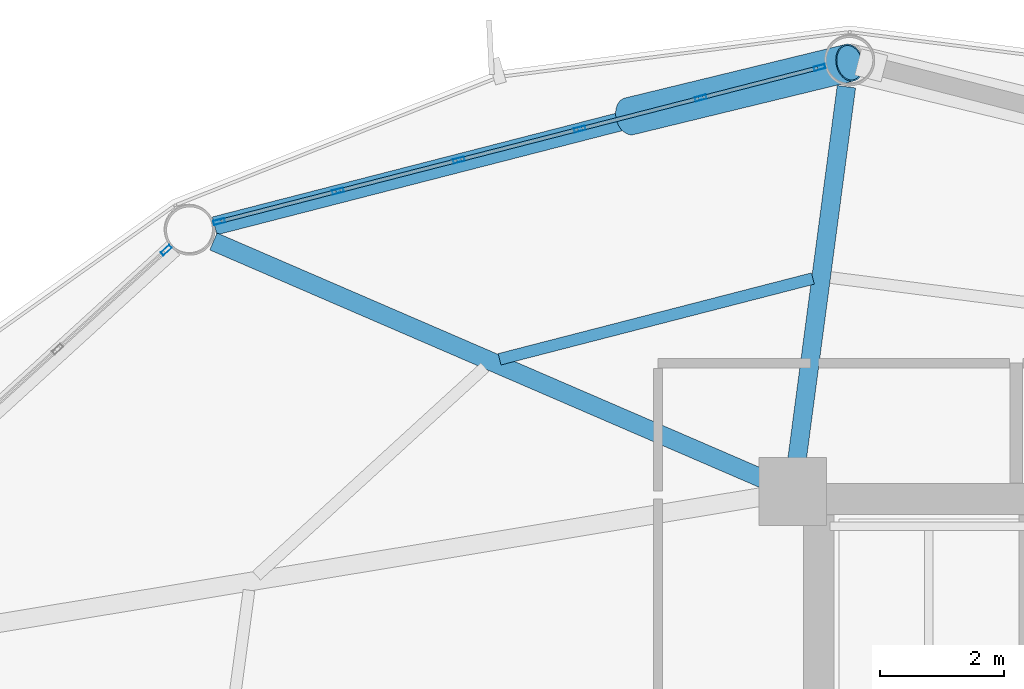
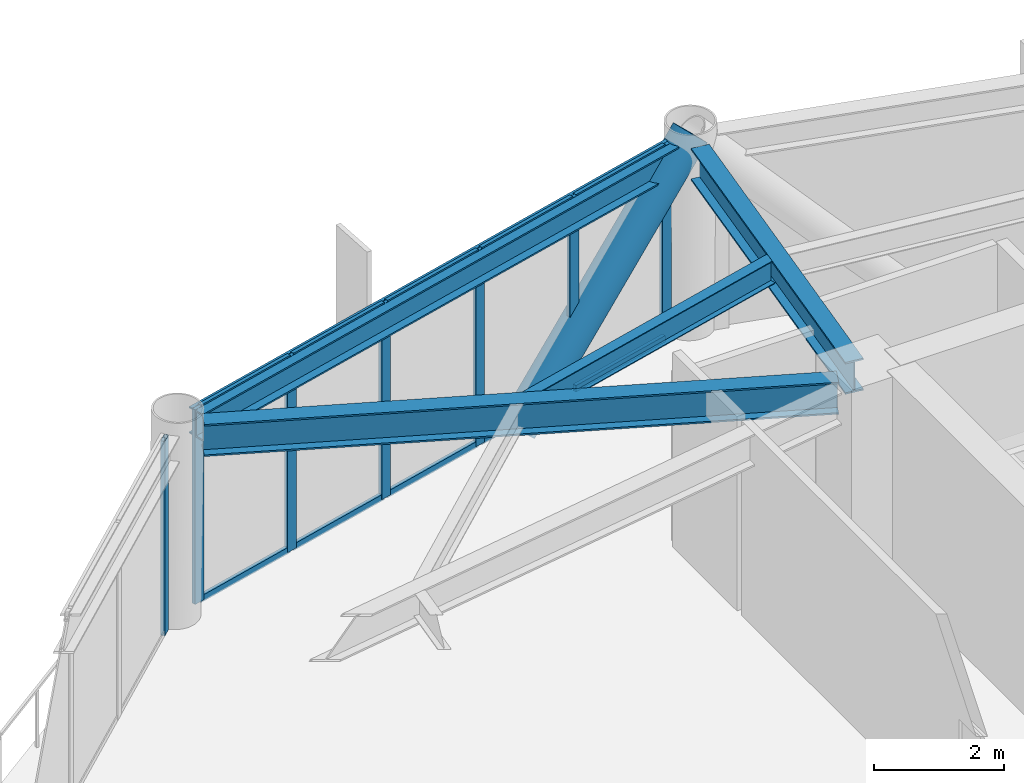
# One storey, part 15 of 23: 18 members, 4 beams, 2 elements without a shape of their own.
"""IFC4 building model written with IfcOpenShell, lengths in metres."""

from ifc_helpers import new_model, si_unit, direction, frame, origin, origin_2d, place, context, subcontext, project, spatial, hollow_rectangle, hollow_circle, i_section, extrude, material, layer, layer_set, material_profile, profile_set, type_object, element, aggregate, save


model = new_model("IFC4")

# Units and contexts
model_context = context("Model", 3, precision=1e-05, world=origin(), true_north=direction((0.0, 1.0)))
body_context = subcontext(model_context, "Body", "Model", "MODEL_VIEW")
ifc_project = project(units=[si_unit("LENGTHUNIT", "METRE"), si_unit("AREAUNIT", "SQUARE_METRE"), si_unit("VOLUMEUNIT", "CUBIC_METRE"), si_unit("PLANEANGLEUNIT", "RADIAN"), si_unit("MASSUNIT", "GRAM", prefix="KILO")], contexts=[model_context])

# Site, building, storey
site_placement = place(None, origin())
site = spatial("IfcSite", under=ifc_project, at=site_placement, CompositionType="ELEMENT")
building_placement = place(site_placement, origin())
building = spatial("IfcBuilding", under=site, at=building_placement, Name="Varnakorn Sky Granary", CompositionType="ELEMENT")
storey_placement = place(building_placement, frame((0.0, 0.0, 107.10009765625)))
storey = spatial("IfcBuildingStorey", under=building, at=storey_placement, Name="L26", CompositionType="ELEMENT", Elevation=107.10009765625)

# Beams
ifc_material_1 = material(Name="Steel S355JR", Category="steel")
ifc_material_profile_1 = material_profile(ifc_material_1, i_section(OverallWidth=0.300048828125, OverallDepth=0.60009765625, WebThickness=0.015380859375, FlangeThickness=0.030029296875, at=origin_2d()), Name="HE 600 B")
ifc_profile_set_1 = profile_set([ifc_material_profile_1], Name="Steel S355JR")
beam_type_1 = type_object("IfcBeamType", Name="BM-RAD-Z2", PredefinedType="BEAM", material=ifc_profile_set_1)
beam_1_placement = place(storey_placement, frame((-2.36474609375, 13.036376953125, 3.33984375), z_axis=(0.131314122462, 0.991340809834, 0.0), x_axis=(-0.991340809834, 0.131314122462, 0.0)))
element("IfcBeam", 1, at=beam_1_placement, inside=storey, type_object=beam_type_1, Name="Radial Floor Girder RG04 L26", PredefinedType="BEAM", context=body_context, shape_type="SweptSolid", body=[
    extrude(i_section(OverallWidth=0.300048828125, OverallDepth=0.60009765625, WebThickness=0.015380859375, FlangeThickness=0.030029296875, at=origin_2d()), origin(), (0.0, 0.0, 1.0), 6.193115234375),
])
beam_2_placement = place(storey_placement, frame((-2.8056640625, 12.78662109375, 3.33984375), z_axis=(-0.91801843557, 0.396537705588, 0.0), x_axis=(-0.396537705588, -0.91801843557, 0.0)))
element("IfcBeam", 2, at=beam_2_placement, inside=storey, type_object=beam_type_1, Name="Radial Floor Girder RG05 L26", PredefinedType="BEAM", context=body_context, shape_type="SweptSolid", body=[
    extrude(i_section(OverallWidth=0.300048828125, OverallDepth=0.60009765625, WebThickness=0.015380859375, FlangeThickness=0.030029296875, at=origin_2d()), origin(), (0.0, 0.0, 1.0), 9.79541015625),
])
ifc_material_profile_2 = material_profile(ifc_material_1, i_section(OverallWidth=0.18994140625, OverallDepth=0.449951171875, WebThickness=0.009521484375, FlangeThickness=0.0146484375, at=origin_2d()), Name="IPE 450")
ifc_profile_set_2 = profile_set([ifc_material_profile_2], Name="Steel S355JR")
beam_type_2 = type_object("IfcBeamType", Name="BM-SEC-Z2", PredefinedType="BEAM", material=ifc_profile_set_2)
beam_3_placement = place(storey_placement, frame((-2.09375, 16.0712890625, 3.414794921875), z_axis=(-0.968342766884, -0.249624289331, 0.0), x_axis=(0.249624289331, -0.968342766884, 0.0)))
element("IfcBeam", 3, at=beam_3_placement, inside=storey, type_object=beam_type_2, Name="Secondary Floor Chord Beam MSB04 L26", PredefinedType="BEAM", context=body_context, shape_type="SweptSolid", body=[
    extrude(i_section(OverallWidth=0.18994140625, OverallDepth=0.449951171875, WebThickness=0.009521484375, FlangeThickness=0.0146484375, at=origin_2d()), origin(), (0.0, 0.0, 1.0), 5.23828125),
])
ifc_material_profile_3 = material_profile(ifc_material_1, i_section(OverallWidth=0.300048828125, OverallDepth=0.5, WebThickness=0.014404296875, FlangeThickness=0.028076171875, at=origin_2d()), Name="HE 500 B")
ifc_profile_set_3 = profile_set([ifc_material_profile_3], Name="Steel S355JR")
beam_type_3 = type_object("IfcBeamType", Name="BM-SPD-Z2", PredefinedType="SPANDREL", material=ifc_profile_set_3)
beam_4_placement = place(storey_placement, frame((-1.879150390625, 19.466552734375, 3.389892578125), z_axis=(-0.968546902543, -0.248831062318, 0.0), x_axis=(0.248831062318, -0.968546902543, 0.0)))
element("IfcBeam", 4, at=beam_4_placement, inside=storey, type_object=beam_type_3, Name="Perimeter Spandrel Ring Beam RB04 L26", PredefinedType="SPANDREL", context=body_context, shape_type="SweptSolid", body=[
    extrude(i_section(OverallWidth=0.300048828125, OverallDepth=0.5, WebThickness=0.014404296875, FlangeThickness=0.028076171875, at=origin_2d()), origin(), (0.0, 0.0, 1.0), 10.220703125),
])

# Curtain wall, members
ifc_material_2 = material(Name="Anodised Bronze Aluminium Alloy 6063-T6", Category="aluminium")
ifc_layer = layer(ifc_material_2, 0.179931640625, Name="Anodised Bronze Aluminium Alloy 6063-T6")
ifc_layer_set = layer_set([ifc_layer], Name="Anodised Bronze Aluminium Alloy 6063-T6")
curtain_wall_type = type_object("IfcCurtainWallType", Name="CW-FRM-2", PredefinedType="USERDEFINED", material=ifc_layer_set)
curtain_wall_1_placement = place(storey_placement, origin())
curtain_wall_1 = element("IfcCurtainWall", 5, at=curtain_wall_1_placement, inside=storey, type_object=curtain_wall_type, Name="Unitised Curtain Wall CW4 CW-L26-B04", ObjectType="CURTAIN WALL", PredefinedType="USERDEFINED")
ifc_material_profile_4 = material_profile(ifc_material_2, hollow_rectangle(XDim=0.070068359375, YDim=0.18505859375, WallThickness=0.00390625, at=origin_2d()), Name="ALU MULL 70x185")
ifc_profile_set_4 = profile_set([ifc_material_profile_4], Name="Anodised Bronze Aluminium Alloy 6063-T6")
member_type_1 = type_object("IfcMemberType", Name="CW-FRM-2-MULL", PredefinedType="MULLION", material=ifc_profile_set_4)
member_1_placement = place(storey_placement, frame((-11.705322265625, 16.9921875, 0.0), z_axis=(0.0, 0.0, 1.0), x_axis=(-0.248636297622, 0.968596919004, 0.0)))
member_1 = element("IfcMember", 6, at=member_1_placement, type_object=member_type_1, Name="CW4 mullion 1", PredefinedType="MULLION", context=body_context, shape_type="SweptSolid", body=[
    extrude(hollow_rectangle(XDim=0.070068359375, YDim=0.18505859375, WallThickness=0.00390625, at=origin_2d()), origin(), (0.0, 0.0, 1.0), 3.639892578125),
])
member_2_placement = place(storey_placement, frame((-9.78173828125, 17.486083984375, 0.0), z_axis=(0.0, 0.0, 1.0), x_axis=(-0.248636297622, 0.968596919004, 0.0)))
member_2 = element("IfcMember", 7, at=member_2_placement, type_object=member_type_1, Name="CW4 mullion 2", PredefinedType="MULLION", context=body_context, shape_type="SweptSolid", body=[
    extrude(hollow_rectangle(XDim=0.070068359375, YDim=0.18505859375, WallThickness=0.00390625, at=origin_2d()), origin(), (0.0, 0.0, 1.0), 3.639892578125),
])
member_3_placement = place(storey_placement, frame((-7.82421875, 17.988525390625, 0.0), z_axis=(0.0, 0.0, 1.0), x_axis=(-0.248636297622, 0.968596919004, 0.0)))
member_3 = element("IfcMember", 8, at=member_3_placement, type_object=member_type_1, Name="CW4 mullion 3", PredefinedType="MULLION", context=body_context, shape_type="SweptSolid", body=[
    extrude(hollow_rectangle(XDim=0.070068359375, YDim=0.18505859375, WallThickness=0.00390625, at=origin_2d()), origin(), (0.0, 0.0, 1.0), 3.639892578125),
])
member_4_placement = place(storey_placement, frame((-5.86669921875, 18.490966796875, 0.0), z_axis=(0.0, 0.0, 1.0), x_axis=(-0.248636297622, 0.968596919004, 0.0)))
member_4 = element("IfcMember", 9, at=member_4_placement, type_object=member_type_1, Name="CW4 mullion 4", PredefinedType="MULLION", context=body_context, shape_type="SweptSolid", body=[
    extrude(hollow_rectangle(XDim=0.070068359375, YDim=0.18505859375, WallThickness=0.00390625, at=origin_2d()), origin(), (0.0, 0.0, 1.0), 3.639892578125),
])
member_5_placement = place(storey_placement, frame((-3.9091796875, 18.993408203125, 0.0), z_axis=(0.0, 0.0, 1.0), x_axis=(-0.248636297622, 0.968596919004, 0.0)))
member_5 = element("IfcMember", 10, at=member_5_placement, type_object=member_type_1, Name="CW4 mullion 5", PredefinedType="MULLION", context=body_context, shape_type="SweptSolid", body=[
    extrude(hollow_rectangle(XDim=0.070068359375, YDim=0.18505859375, WallThickness=0.00390625, at=origin_2d()), origin(), (0.0, 0.0, 1.0), 3.639892578125),
])
member_6_placement = place(storey_placement, frame((-1.985595703125, 19.4873046875, 0.0), z_axis=(0.0, 0.0, 1.0), x_axis=(-0.248636297622, 0.968596919004, 0.0)))
member_6 = element("IfcMember", 11, at=member_6_placement, type_object=member_type_1, Name="CW4 mullion 6", PredefinedType="MULLION", context=body_context, shape_type="SweptSolid", body=[
    extrude(hollow_rectangle(XDim=0.070068359375, YDim=0.18505859375, WallThickness=0.00390625, at=origin_2d()), origin(), (0.0, 0.0, 1.0), 3.639892578125),
])

# Curtain wall, member
curtain_wall_2_placement = place(storey_placement, origin())
curtain_wall_2 = element("IfcCurtainWall", 12, at=curtain_wall_2_placement, inside=storey, type_object=curtain_wall_type, Name="Unitised Curtain Wall CW4 CW-L26-B05", ObjectType="CURTAIN WALL", PredefinedType="USERDEFINED")
member_7_placement = place(storey_placement, frame((-12.561767578125, 16.530029296875, 0.0), z_axis=(0.0, 0.0, 1.0), x_axis=(-0.673414398116, 0.73926520844, 0.0)))
member_7 = element("IfcMember", 13, at=member_7_placement, type_object=member_type_1, Name="CW4 mullion 5", PredefinedType="MULLION", context=body_context, shape_type="SweptSolid", body=[
    extrude(hollow_rectangle(XDim=0.070068359375, YDim=0.18505859375, WallThickness=0.00390625, at=origin_2d()), origin(), (0.0, 0.0, 1.0), 3.639892578125),
])
aggregate(curtain_wall_2, [member_7])

# Member
ifc_material_profile_5 = material_profile(ifc_material_2, hollow_rectangle(XDim=0.06494140625, YDim=0.1201171875, WallThickness=0.00341796875, at=origin_2d()), Name="ALU TRAN 65x120")
ifc_profile_set_5 = profile_set([ifc_material_profile_5], Name="Anodised Bronze Aluminium Alloy 6063-T6")
member_type_2 = type_object("IfcMemberType", Name="CW-FRM-2-TRAN", PredefinedType="USERDEFINED", material=ifc_profile_set_5)
member_8_placement = place(storey_placement, frame((-11.67138671875, 17.0009765625, 0.032470703125), z_axis=(0.968601731905, 0.248617547552, 0.0), x_axis=(-0.248617547552, 0.968601731905, 0.0)))
member_8 = element("IfcMember", 14, at=member_8_placement, type_object=member_type_2, Name="CW4 transom 1.1", ObjectType="TRANSOM", PredefinedType="USERDEFINED", context=body_context, shape_type="SweptSolid", body=[
    extrude(hollow_rectangle(XDim=0.06494140625, YDim=0.1201171875, WallThickness=0.00341796875, at=origin_2d()), origin(), (0.0, 0.0, 1.0), 1.915771484375),
])

member_9_placement = place(storey_placement, frame((-11.67138671875, 17.0009765625, 3.607421875), z_axis=(0.968601731905, 0.248617547552, 0.0), x_axis=(-0.248617547552, 0.968601731905, 0.0)))
member_9 = element("IfcMember", 15, at=member_9_placement, type_object=member_type_2, Name="CW4 transom 1.2", ObjectType="TRANSOM", PredefinedType="USERDEFINED", context=body_context, shape_type="SweptSolid", body=[
    extrude(hollow_rectangle(XDim=0.06494140625, YDim=0.1201171875, WallThickness=0.00341796875, at=origin_2d()), origin(), (0.0, 0.0, 1.0), 1.915771484375),
])

member_10_placement = place(storey_placement, frame((-9.747802734375, 17.494873046875, 0.032470703125), z_axis=(0.968622163139, 0.248537934883, 0.0), x_axis=(-0.248537934883, 0.968622163139, 0.0)))
member_10 = element("IfcMember", 16, at=member_10_placement, type_object=member_type_2, Name="CW4 transom 2.1", ObjectType="TRANSOM", PredefinedType="USERDEFINED", context=body_context, shape_type="SweptSolid", body=[
    extrude(hollow_rectangle(XDim=0.06494140625, YDim=0.1201171875, WallThickness=0.00341796875, at=origin_2d()), origin(), (0.0, 0.0, 1.0), 1.950927734375),
])

member_11_placement = place(storey_placement, frame((-9.747802734375, 17.494873046875, 3.607421875), z_axis=(0.968622163139, 0.248537934883, 0.0), x_axis=(-0.248537934883, 0.968622163139, 0.0)))
member_11 = element("IfcMember", 17, at=member_11_placement, type_object=member_type_2, Name="CW4 transom 2.2", ObjectType="TRANSOM", PredefinedType="USERDEFINED", context=body_context, shape_type="SweptSolid", body=[
    extrude(hollow_rectangle(XDim=0.06494140625, YDim=0.1201171875, WallThickness=0.00341796875, at=origin_2d()), origin(), (0.0, 0.0, 1.0), 1.950927734375),
])

member_12_placement = place(storey_placement, frame((-7.790283203125, 17.997314453125, 0.032470703125), z_axis=(0.968592029638, 0.248655344043, 0.0), x_axis=(-0.248655344043, 0.968592029638, 0.0)))
member_12 = element("IfcMember", 18, at=member_12_placement, type_object=member_type_2, Name="CW4 transom 3.1", ObjectType="TRANSOM", PredefinedType="USERDEFINED", context=body_context, shape_type="SweptSolid", body=[
    extrude(hollow_rectangle(XDim=0.06494140625, YDim=0.1201171875, WallThickness=0.00341796875, at=origin_2d()), origin(), (0.0, 0.0, 1.0), 1.950927734375),
])

member_13_placement = place(storey_placement, frame((-7.790283203125, 17.997314453125, 3.607421875), z_axis=(0.968592029638, 0.248655344043, 0.0), x_axis=(-0.248655344043, 0.968592029638, 0.0)))
member_13 = element("IfcMember", 19, at=member_13_placement, type_object=member_type_2, Name="CW4 transom 3.2", ObjectType="TRANSOM", PredefinedType="USERDEFINED", context=body_context, shape_type="SweptSolid", body=[
    extrude(hollow_rectangle(XDim=0.06494140625, YDim=0.1201171875, WallThickness=0.00341796875, at=origin_2d()), origin(), (0.0, 0.0, 1.0), 1.950927734375),
])

member_14_placement = place(storey_placement, frame((-5.832763671875, 18.499755859375, 0.032470703125), z_axis=(0.968592029638, 0.248655344043, 0.0), x_axis=(-0.248655344043, 0.968592029638, 0.0)))
member_14 = element("IfcMember", 20, at=member_14_placement, type_object=member_type_2, Name="CW4 transom 4.1", ObjectType="TRANSOM", PredefinedType="USERDEFINED", context=body_context, shape_type="SweptSolid", body=[
    extrude(hollow_rectangle(XDim=0.06494140625, YDim=0.1201171875, WallThickness=0.00341796875, at=origin_2d()), origin(), (0.0, 0.0, 1.0), 1.950927734375),
])

member_15_placement = place(storey_placement, frame((-5.832763671875, 18.499755859375, 3.607421875), z_axis=(0.968592029638, 0.248655344043, 0.0), x_axis=(-0.248655344043, 0.968592029638, 0.0)))
member_15 = element("IfcMember", 21, at=member_15_placement, type_object=member_type_2, Name="CW4 transom 4.2", ObjectType="TRANSOM", PredefinedType="USERDEFINED", context=body_context, shape_type="SweptSolid", body=[
    extrude(hollow_rectangle(XDim=0.06494140625, YDim=0.1201171875, WallThickness=0.00341796875, at=origin_2d()), origin(), (0.0, 0.0, 1.0), 1.950927734375),
])

member_16_placement = place(storey_placement, frame((-3.87548828125, 19.002197265625, 0.032470703125), z_axis=(0.968609607034, 0.24858686442, 0.0), x_axis=(-0.24858686442, 0.968609607034, 0.0)))
member_16 = element("IfcMember", 22, at=member_16_placement, type_object=member_type_2, Name="CW4 transom 5.1", ObjectType="TRANSOM", PredefinedType="USERDEFINED", context=body_context, shape_type="SweptSolid", body=[
    extrude(hollow_rectangle(XDim=0.06494140625, YDim=0.1201171875, WallThickness=0.00341796875, at=origin_2d()), origin(), (0.0, 0.0, 1.0), 1.916015625),
])

member_17_placement = place(storey_placement, frame((-3.87548828125, 19.002197265625, 3.607421875), z_axis=(0.968609607034, 0.24858686442, 0.0), x_axis=(-0.24858686442, 0.968609607034, 0.0)))
member_17 = element("IfcMember", 23, at=member_17_placement, type_object=member_type_2, Name="CW4 transom 5.2", ObjectType="TRANSOM", PredefinedType="USERDEFINED", context=body_context, shape_type="SweptSolid", body=[
    extrude(hollow_rectangle(XDim=0.06494140625, YDim=0.1201171875, WallThickness=0.00341796875, at=origin_2d()), origin(), (0.0, 0.0, 1.0), 1.916015625),
])

aggregate(curtain_wall_1, [member_1, member_2, member_3, member_4, member_5, member_6, member_8, member_9, member_10, member_11, member_12, member_13, member_14, member_15, member_16, member_17])

ifc_material_3 = material(Name="Steel S460M", Category="steel")
ifc_material_profile_6 = material_profile(ifc_material_3, hollow_circle(Radius=0.304931640625, WallThickness=0.022216796875, at=origin_2d()), Name="CHS 610x22")
ifc_profile_set_6 = profile_set([ifc_material_profile_6], Name="Steel S460M")
member_type_3 = type_object("IfcMemberType", Name="MB-DIAG-T1", PredefinedType="BRACE", material=ifc_profile_set_6)
member_18_placement = place(storey_placement, frame((-5.063720703125, 18.697265625, -0.130126953125), z_axis=(0.67755360428, 0.164781482167, 0.716776238768), x_axis=(-0.23631251107, 0.971677105376, 0.0)))
element("IfcMember", 24, at=member_18_placement, inside=storey, type_object=member_type_3, Name="Perimeter CHS Diagrid Brace DG04 L26", PredefinedType="BRACE", context=body_context, shape_type="SweptSolid", body=[
    extrude(hollow_circle(Radius=0.304931640625, WallThickness=0.022216796875, at=origin_2d()), origin(), (0.0, 0.0, 1.0), 5.259765625),
])

save(model, "model.ifc")
